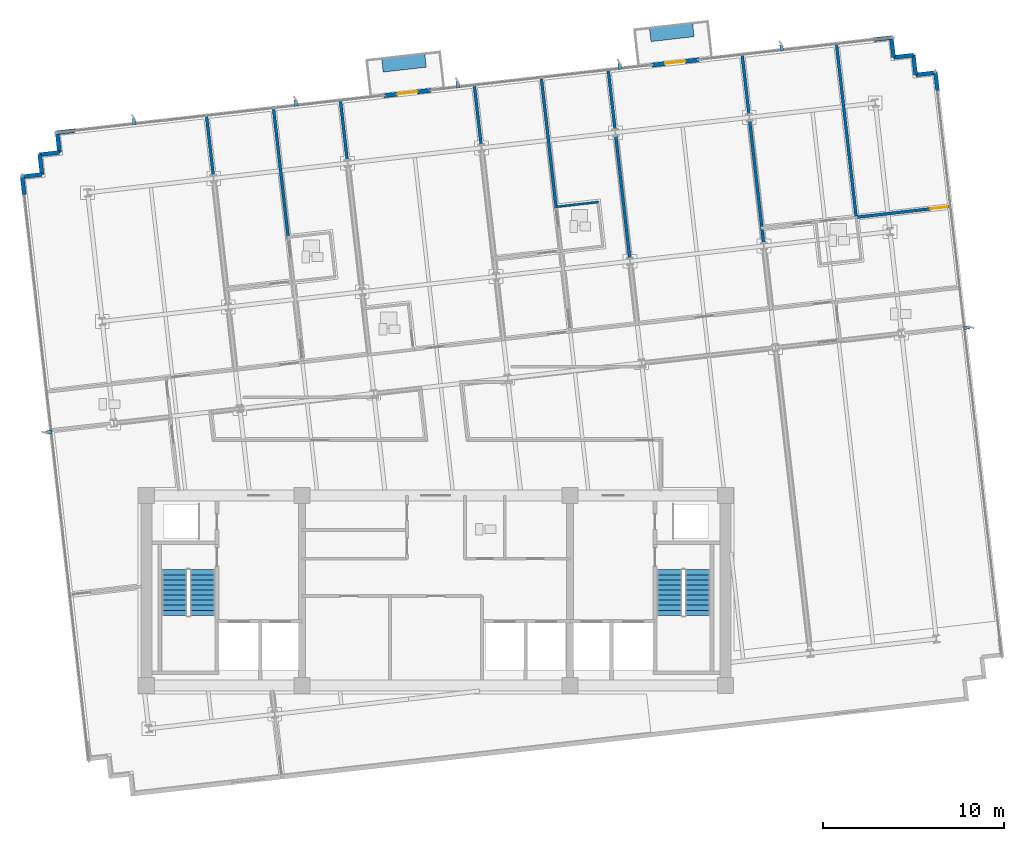
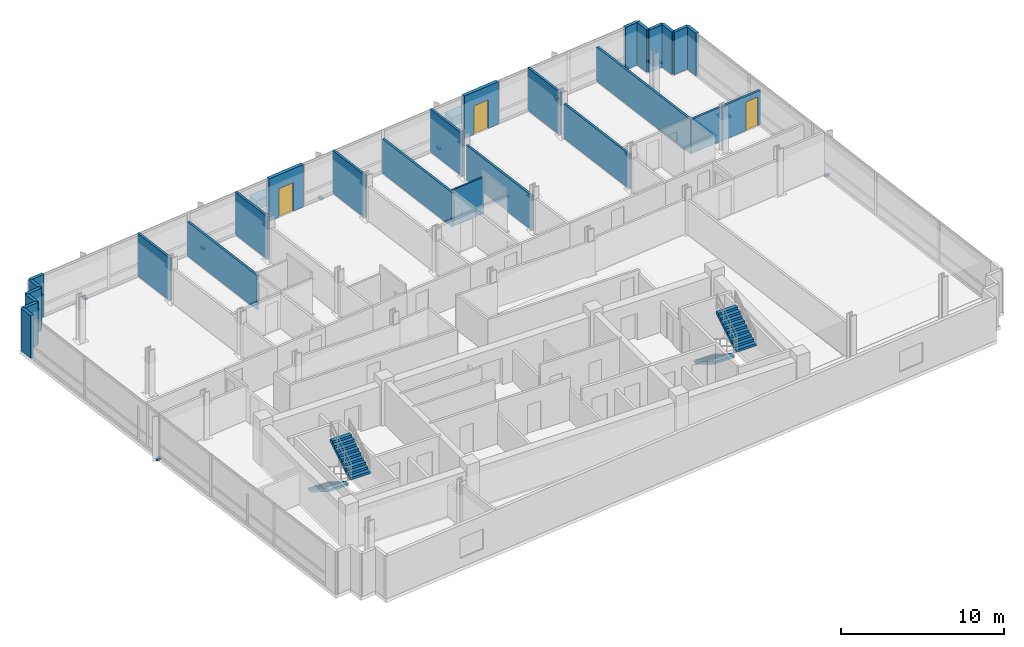
# One storey, part 11 of 16: 26 walls, 9 discrete accessories, 4 stair flights, 3 doors, 3 openings, 2 elements without a shape of their own.
"""IFC4 building model written with IfcOpenShell, lengths in metres."""

import ifcopenshell
import ifcopenshell.guid

model = None  # the IFC model being written
_history = None  # IfcOwnerHistory: only IFC2X3 demands one
_inside = {}  # id of a spatial element -> (the spatial element, [elements in it])
_under = {}  # id of a project, library or spatial element -> (it, [spatial elements below it])
_declared = {}  # id of a project -> (the project, [libraries it declares])
_typed = {}  # id of a type object -> (the type object, [elements of that type])
_made_of = {}  # id of a material, layer set ... -> (it, [elements and type objects made of it])


def new_model(schema):
    """Start an empty IFC model of exactly this schema.

    Asked for "IFC4X3", IfcOpenShell would pick the latest addendum, in which some entities
    have other attributes; the version numbers below select the first issue.
    IFC2X3 requires an IfcOwnerHistory on every rooted entity: one is made here for all.
    """
    global model, _history
    if schema == "IFC4X3":
        model = ifcopenshell.file(schema_version=(4, 3, 0, 0))
    else:
        model = ifcopenshell.file(schema=schema)
    _inside.clear()
    _under.clear()
    _declared.clear()
    _typed.clear()
    _made_of.clear()
    _history = None
    if model.schema == "IFC2X3":
        org = make("IfcOrganization", Name="unknown")
        user = make(
            "IfcPersonAndOrganization",
            ThePerson=make("IfcPerson", FamilyName="unknown"),
            TheOrganization=org,
        )
        app = make(
            "IfcApplication",
            ApplicationDeveloper=org,
            Version="unknown",
            ApplicationFullName="unknown",
            ApplicationIdentifier="unknown",
        )
        _history = make(
            "IfcOwnerHistory",
            OwningUser=user,
            OwningApplication=app,
            ChangeAction="ADDED",
            CreationDate=0,
        )
    return model


def make(cls, **values):
    """One entity of the class cls with the attributes given. An attribute that is None is left unset."""
    return model.create_entity(
        cls, **{name: value for name, value in values.items() if value is not None}
    )


def rooted(cls, **values):
    """An entity with a GlobalId (a new one), such as an element, a storey or a relation."""
    return make(cls, GlobalId=ifcopenshell.guid.new(), OwnerHistory=_history, **values)


def si_unit(unit_type, name, prefix=None):
    """IfcSIUnit, for example si_unit("LENGTHUNIT", "METRE", prefix="MILLI")."""
    return make("IfcSIUnit", UnitType=unit_type, Prefix=prefix, Name=name)


def assignment(units):
    """IfcUnitAssignment: the units of a project."""
    return None if units is None else make("IfcUnitAssignment", Units=units)


def point(xyz):
    """IfcCartesianPoint."""
    return None if xyz is None else make("IfcCartesianPoint", Coordinates=xyz)


def direction(xyz):
    """IfcDirection."""
    return None if xyz is None else make("IfcDirection", DirectionRatios=xyz)


def frame(location, z_axis=None, x_axis=None):
    """IfcAxis2Placement3D, a coordinate frame: its origin and axes. An axis left out is left unset."""
    return make(
        "IfcAxis2Placement3D",
        Location=point(location),
        Axis=direction(z_axis),
        RefDirection=direction(x_axis),
    )


def frame_2d(location, x_axis=None):
    """IfcAxis2Placement2D, a coordinate frame in the plane: its origin and x axis."""
    return make(
        "IfcAxis2Placement2D", Location=point(location), RefDirection=direction(x_axis)
    )


def origin():
    """The frame at (0, 0, 0) with its axes left unset."""
    return frame((0.0, 0.0, 0.0))


def origin_2d():
    """The frame at (0, 0) in the plane with its x axis left unset."""
    return frame_2d((0.0, 0.0))


def place(relative_to, where):
    """IfcLocalPlacement: puts the frame where relative to a parent placement (None: the world)."""
    return make(
        "IfcLocalPlacement", PlacementRelTo=relative_to, RelativePlacement=where
    )


def context(
    kind, dimensions, precision=None, world=None, true_north=None, identifier=None
):
    """IfcGeometricRepresentationContext, for example the 3D "Model" context."""
    return make(
        "IfcGeometricRepresentationContext",
        ContextIdentifier=identifier,
        ContextType=kind,
        CoordinateSpaceDimension=dimensions,
        Precision=precision,
        WorldCoordinateSystem=world,
        TrueNorth=true_north,
    )


def subcontext(parent, identifier, kind, view, scale=None):
    """IfcGeometricRepresentationSubContext, for example "Body" below "Model"."""
    return make(
        "IfcGeometricRepresentationSubContext",
        ContextIdentifier=identifier,
        ContextType=kind,
        ParentContext=parent,
        TargetScale=scale,
        TargetView=view,
    )


def project(units=None, contexts=None):
    """IfcProject with its units and contexts."""
    return rooted(
        "IfcProject",
        Name="project",
        RepresentationContexts=contexts,
        UnitsInContext=assignment(units),
    )


def spatial(cls, under=None, at=None, **own):
    """A site, building, storey or space (cls), placed at a placement, below another one or the project."""
    s = rooted(cls, ObjectPlacement=at, **own)
    if under is not None:
        _under.setdefault(under.id(), (under, []))[1].append(s)
    return s


def polyline(points):
    """IfcPolyline through the points."""
    return make("IfcPolyline", Points=[point(p) for p in points])


def profile(cls, at=None, kind="AREA", **sizes):
    """A parametric profile (cls). Its sizes go by their IFC names, for example OverallWidth=200.0."""
    return make(cls, ProfileType=kind, Position=at, **sizes)


def rectangle(**sizes):
    """IfcRectangleProfileDef."""
    return profile("IfcRectangleProfileDef", **sizes)


def outline(outer, holes=None, kind="AREA"):
    """IfcArbitraryClosedProfileDef: a profile drawn as a closed curve; with holes, ...WithVoids."""
    if holes is None:
        return make("IfcArbitraryClosedProfileDef", ProfileType=kind, OuterCurve=outer)
    return make(
        "IfcArbitraryProfileDefWithVoids",
        ProfileType=kind,
        OuterCurve=outer,
        InnerCurves=holes,
    )


def extrude(swept, where, along, depth):
    """IfcExtrudedAreaSolid: the profile swept, set in the frame where, extruded along a direction by depth."""
    return make(
        "IfcExtrudedAreaSolid",
        SweptArea=swept,
        Position=where,
        ExtrudedDirection=direction(along),
        Depth=depth,
    )


def shape(context_of_items, identifier, shape_type, items):
    """IfcShapeRepresentation: the items that make up one representation, for example the "Body"."""
    return make(
        "IfcShapeRepresentation",
        ContextOfItems=context_of_items,
        RepresentationIdentifier=identifier,
        RepresentationType=shape_type,
        Items=items,
    )


def material(Name=None, Category=None):
    """IfcMaterial."""
    return make("IfcMaterial", Name=Name, Category=Category)


def layer(
    of_material, thickness, ventilated=None, Name=None, Category=None, Priority=None
):
    """IfcMaterialLayer: one layer of a wall or slab, of a material (None: an air gap)."""
    return make(
        "IfcMaterialLayer",
        Material=of_material,
        LayerThickness=thickness,
        IsVentilated=ventilated,
        Name=Name,
        Category=Category,
        Priority=Priority,
    )


def layer_set(layers, Name=None):
    """IfcMaterialLayerSet."""
    return make("IfcMaterialLayerSet", MaterialLayers=layers, LayerSetName=Name)


def made_of(thing, what):
    """Note that an element or type object is made of a material, layer set ...; save() writes the relation."""
    if what is not None:
        _made_of.setdefault(what.id(), (what, []))[1].append(thing)
    return thing


def type_object(cls, material=None, **own):
    """A type object (cls), such as IfcWallType, which elements share."""
    return made_of(rooted(cls, **own), material)


def element(
    cls,
    number,
    at=None,
    inside=None,
    cuts=None,
    type_object=None,
    material=None,
    context=None,
    identifier="Body",
    shape_type=None,
    held_by="IfcProductDefinitionShape",
    body=None,
    shapes=None,
    **own,
):
    """One element of the class cls, such as IfcWall. Its Tag is "e" and its number.

    at: its placement. inside: the storey or other place that contains it. cuts: it is an
    opening in that element (IfcRelVoidsElement). A single representation is given by context,
    identifier, shape_type and body (its items); several are given by shapes. held_by: the class
    of the entity that holds the representations. save() writes the other relations.
    """
    e = rooted(cls, Tag="e%d" % number, ObjectPlacement=at, **own)
    if body is not None:
        shapes = [shape(context, identifier, shape_type, body)]
    if shapes is not None:
        e.Representation = make(held_by, Representations=shapes)
    if inside is not None:
        _inside.setdefault(inside.id(), (inside, []))[1].append(e)
    if cuts is not None:
        rooted(
            "IfcRelVoidsElement", RelatingBuildingElement=cuts, RelatedOpeningElement=e
        )
    if type_object is not None:
        _typed.setdefault(type_object.id(), (type_object, []))[1].append(e)
    return made_of(e, material)


def fill(opening, filler):
    """IfcRelFillsElement: the door or window that sits in an opening."""
    return rooted(
        "IfcRelFillsElement",
        RelatingOpeningElement=opening,
        RelatedBuildingElement=filler,
    )


def aggregate(whole, parts):
    """IfcRelAggregates: a whole, such as a stair, and the parts it consists of."""
    return rooted("IfcRelAggregates", RelatingObject=whole, RelatedObjects=parts)


def save(model, path):
    """Write the relations noted so far, then the file.

    IfcRelAggregates (storeys below a building ...), IfcRelContainedInSpatialStructure (elements
    in a storey), IfcRelDefinesByType, IfcRelAssociatesMaterial and IfcRelDeclares: one each for
    every whole, place, type object, material and project.
    """
    for whole, parts in _under.values():
        aggregate(whole, parts)
    for where, things in _inside.values():
        rooted(
            "IfcRelContainedInSpatialStructure",
            RelatedElements=things,
            RelatingStructure=where,
        )
    for kind, things in _typed.values():
        rooted("IfcRelDefinesByType", RelatedObjects=things, RelatingType=kind)
    for what, things in _made_of.values():
        rooted("IfcRelAssociatesMaterial", RelatedObjects=things, RelatingMaterial=what)
    for by, libraries in _declared.values():
        rooted("IfcRelDeclares", RelatingContext=by, RelatedDefinitions=libraries)
    model.write(path)


model = new_model("IFC4")

# Units and contexts
model_context = context("Model", 3, precision=1e-05, world=origin(), true_north=direction((0.0, 1.0)))
body_context = subcontext(model_context, "Body", "Model", "MODEL_VIEW")
ifc_project = project(units=[si_unit("LENGTHUNIT", "METRE"), si_unit("AREAUNIT", "SQUARE_METRE"), si_unit("VOLUMEUNIT", "CUBIC_METRE"), si_unit("PLANEANGLEUNIT", "RADIAN"), si_unit("MASSUNIT", "GRAM", prefix="KILO")], contexts=[model_context])

# Site, building, storey
site_placement = place(None, origin())
site = spatial("IfcSite", under=ifc_project, at=site_placement, CompositionType="ELEMENT")
building_placement = place(site_placement, origin())
building = spatial("IfcBuilding", under=site, at=building_placement, Name="Solmavex Isthmus Hotel", CompositionType="ELEMENT")
storey_placement = place(building_placement, frame((0.0, 0.0, 208.949951171875)))
storey = spatial("IfcBuildingStorey", under=building, at=storey_placement, Name="L56", CompositionType="ELEMENT", Elevation=208.949951171875)

# Wall, opening, door
ifc_material_1 = material(Name="Precast Concrete C40/50", Category="concrete")
ifc_layer_1 = layer(ifc_material_1, 0.25)
ifc_layer_set_1 = layer_set([ifc_layer_1], Name="Precast Concrete C40/50")
wall_type_1 = type_object("IfcWallType", Name="EW-TWR-250", PredefinedType="STANDARD", material=ifc_layer_set_1)
wall_1_placement = place(storey_placement, frame((-2.871337890625, 19.59326171875, 0.0), z_axis=(0.0, 0.0, 1.0), x_axis=(0.993577691497, 0.113151981689, 0.0)))
wall_1 = element("IfcWall", 1, at=wall_1_placement, inside=storey, type_object=wall_type_1, Name="Exterior Balcony Door Wall L56-2", PredefinedType="STANDARD", context=body_context, shape_type="SweptSolid", body=[
    extrude(rectangle(XDim=2.599853515625, YDim=0.239990234375, at=frame_2d((1.2998046875, 0.0))), origin(), (0.0, 0.0, 1.0), 3.18994140625),
])
opening_1_placement = place(wall_1_placement, frame((0.75, 0.0, 0.0)))
opening_1 = element("IfcOpeningElement", 2, at=opening_1_placement, cuts=wall_1, Name="Opening ED-02", PredefinedType="OPENING", context=body_context, shape_type="SweptSolid", body=[
    extrude(rectangle(XDim=1.10009765625, YDim=2.14990234375, at=frame_2d((0.550048828125, 1.074951171875))), frame((0.0, 0.1298828125, 0.0), z_axis=(0.0, -1.0, 0.0), x_axis=(1.0, 0.0, 0.0)), (0.0, 0.0, 1.0), 0.260009765625),
])
ifc_material_2 = material(Name="Aluminium alloy 6063-T6", Category="aluminium")
door_type_1 = type_object("IfcDoorType", Name="EDR-BALC-1100", OperationType="NOTDEFINED", PredefinedType="DOOR", material=ifc_material_2)
door_1_placement = place(opening_1_placement, origin())
door_1 = element("IfcDoor", 3, at=door_1_placement, inside=storey, type_object=door_type_1, Name="Balcony & Terrace Glazed Door L56-2", OperationType="SINGLE_SWING_RIGHT", OverallHeight=2.14990234375, OverallWidth=1.10009765625, PredefinedType="DOOR", context=body_context, shape_type="SweptSolid", body=[
    extrude(rectangle(XDim=1.10009765625, YDim=2.14990234375, at=frame_2d((0.550048828125, 1.074951171875))), frame((0.0, 0.02490234375, 0.0), z_axis=(0.0, -1.0, 0.0), x_axis=(1.0, 0.0, 0.0)), (0.0, 0.0, 1.0), 0.050048828125),
])
fill(opening_1, door_1)

wall_2_placement = place(storey_placement, frame((11.9248046875, 21.279052734375, 0.0), z_axis=(0.0, 0.0, 1.0), x_axis=(0.993567130319, 0.113244680008, 0.0)))
wall_2 = element("IfcWall", 4, at=wall_2_placement, inside=storey, type_object=wall_type_1, Name="Exterior Balcony Door Wall L56-3", PredefinedType="STANDARD", context=body_context, shape_type="SweptSolid", body=[
    extrude(rectangle(XDim=2.60009765625, YDim=0.239990234375, at=frame_2d((1.300048828125, 0.0))), origin(), (0.0, 0.0, 1.0), 3.18994140625),
])
opening_2_placement = place(wall_2_placement, frame((0.75, 0.0, 0.0)))
opening_2 = element("IfcOpeningElement", 5, at=opening_2_placement, cuts=wall_2, Name="Opening ED-02", PredefinedType="OPENING", context=body_context, shape_type="SweptSolid", body=[
    extrude(rectangle(XDim=1.10009765625, YDim=2.14990234375, at=frame_2d((0.550048828125, 1.074951171875))), frame((0.0, 0.1298828125, 0.0), z_axis=(0.0, -1.0, 0.0), x_axis=(1.0, 0.0, 0.0)), (0.0, 0.0, 1.0), 0.260009765625),
])
door_2_placement = place(opening_2_placement, origin())
door_2 = element("IfcDoor", 6, at=door_2_placement, inside=storey, type_object=door_type_1, Name="Balcony & Terrace Glazed Door L56-3", OperationType="SINGLE_SWING_LEFT", OverallHeight=2.14990234375, OverallWidth=1.10009765625, PredefinedType="DOOR", context=body_context, shape_type="SweptSolid", body=[
    extrude(rectangle(XDim=1.10009765625, YDim=2.14990234375, at=frame_2d((0.550048828125, 1.074951171875))), frame((0.0, 0.02490234375, 0.0), z_axis=(0.0, -1.0, 0.0), x_axis=(1.0, 0.0, 0.0)), (0.0, 0.0, 1.0), 0.050048828125),
])
fill(opening_2, door_2)

# Walls
wall_3_placement = place(storey_placement, frame((-22.74755859375, 14.128173828125, 0.0), z_axis=(0.0, 0.0, 1.0), x_axis=(-0.113191877531, 0.993573147212, 0.0)))
element("IfcWall", 7, at=wall_3_placement, inside=storey, type_object=wall_type_1, Name="Serrated Corner Facade Panel L56-07", PredefinedType="STANDARD", context=body_context, shape_type="SweptSolid", body=[
    extrude(rectangle(XDim=0.989990234375, YDim=0.219970703125, at=frame_2d((0.4951171875, 0.0))), origin(), (0.0, 0.0, 1.0), 3.18994140625),
])
wall_4_placement = place(storey_placement, frame((-22.859619140625, 15.11181640625, 0.0), z_axis=(0.0, 0.0, 1.0), x_axis=(0.99357409499, 0.113183557839, 0.0)))
element("IfcWall", 8, at=wall_4_placement, inside=storey, type_object=wall_type_1, Name="Serrated Corner Facade Panel L56-08", PredefinedType="STANDARD", context=body_context, shape_type="SweptSolid", body=[
    extrude(rectangle(XDim=1.10009765625, YDim=0.219970703125, at=frame_2d((0.550048828125, 0.0))), origin(), (0.0, 0.0, 1.0), 3.18994140625),
])
wall_5_placement = place(storey_placement, frame((-21.7666015625, 15.236328125, 0.0), z_axis=(0.0, 0.0, 1.0), x_axis=(-0.11320852056, 0.99357125103, 0.0)))
element("IfcWall", 9, at=wall_5_placement, inside=storey, type_object=wall_type_1, Name="Serrated Corner Facade Panel L56-09", PredefinedType="STANDARD", context=body_context, shape_type="SweptSolid", body=[
    extrude(rectangle(XDim=1.099853515625, YDim=0.219970703125, at=frame_2d((0.5498046875, 0.0))), origin(), (0.0, 0.0, 1.0), 3.18994140625),
])
for number, where, z_axis, x_axis, name in (
    (10, (-21.89111328125, 16.3291015625, 0.0), (0.0, 0.0, 1.0), (0.99357409499, 0.113183557839, 0.0), "Serrated Corner Facade Panel L56-10"),
    (11, (-20.798095703125, 16.45361328125, 0.0), (0.0, 0.0, 1.0), (-0.113402635104, 0.993549114212, 0.0), "Serrated Corner Facade Panel L56-11"),
):
    element("IfcWall", number, at=place(storey_placement, frame(where, z_axis=z_axis, x_axis=x_axis)), inside=storey, type_object=wall_type_1, Name=name, PredefinedType="STANDARD", context=body_context, shape_type="SweptSolid", body=[
        extrude(rectangle(XDim=1.10009765625, YDim=0.219970703125, at=frame_2d((0.550048828125, 0.0))), origin(), (0.0, 0.0, 1.0), 3.18994140625),
    ])
for number, where, z_axis, x_axis, name in (
    (12, (-20.9228515625, 17.546630859375, 0.0), (0.0, 0.0, 1.0), (0.993573147212, 0.113191877531, 0.0), "Serrated Corner Facade Panel L56-12"),
    (13, (24.175537109375, 22.684814453125, 0.0), (0.0, 0.0, 1.0), (0.993573147212, 0.113191877531, 0.0), "Serrated Corner Facade Panel L56-14"),
):
    element("IfcWall", number, at=place(storey_placement, frame(where, z_axis=z_axis, x_axis=x_axis)), inside=storey, type_object=wall_type_1, Name=name, PredefinedType="STANDARD", context=body_context, shape_type="SweptSolid", body=[
        extrude(rectangle(XDim=0.989990234375, YDim=0.219970703125, at=frame_2d((0.4951171875, 0.0))), origin(), (0.0, 0.0, 1.0), 3.18994140625),
    ])
for number, where, z_axis, x_axis, name in (
    (14, (25.1591796875, 22.796875, 0.0), (0.0, 0.0, 1.0), (0.11320852056, -0.99357125103, 0.0), "Serrated Corner Facade Panel L56-15"),
    (15, (25.28369140625, 21.7041015625, 0.0), (0.0, 0.0, 1.0), (0.99357125103, 0.11320852056, 0.0), "Serrated Corner Facade Panel L56-16"),
):
    element("IfcWall", number, at=place(storey_placement, frame(where, z_axis=z_axis, x_axis=x_axis)), inside=storey, type_object=wall_type_1, Name=name, PredefinedType="STANDARD", context=body_context, shape_type="SweptSolid", body=[
        extrude(rectangle(XDim=1.099853515625, YDim=0.219970703125, at=frame_2d((0.5498046875, 0.0))), origin(), (0.0, 0.0, 1.0), 3.18994140625),
    ])
wall_6_placement = place(storey_placement, frame((26.37646484375, 21.82861328125, 0.0), z_axis=(0.0, 0.0, 1.0), x_axis=(0.113402635104, -0.993549114212, 0.0)))
element("IfcWall", 16, at=wall_6_placement, inside=storey, type_object=wall_type_1, Name="Serrated Corner Facade Panel L56-17", PredefinedType="STANDARD", context=body_context, shape_type="SweptSolid", body=[
    extrude(rectangle(XDim=1.10009765625, YDim=0.219970703125, at=frame_2d((0.550048828125, 0.0))), origin(), (0.0, 0.0, 1.0), 3.18994140625),
])
wall_7_placement = place(storey_placement, frame((26.501220703125, 20.735595703125, 0.0), z_axis=(0.0, 0.0, 1.0), x_axis=(0.99357125103, 0.11320852056, 0.0)))
element("IfcWall", 17, at=wall_7_placement, inside=storey, type_object=wall_type_1, Name="Serrated Corner Facade Panel L56-18", PredefinedType="STANDARD", context=body_context, shape_type="SweptSolid", body=[
    extrude(rectangle(XDim=1.099853515625, YDim=0.219970703125, at=frame_2d((0.5498046875, 0.0))), origin(), (0.0, 0.0, 1.0), 3.18994140625),
])
wall_8_placement = place(storey_placement, frame((27.593994140625, 20.860107421875, 0.0), z_axis=(0.0, 0.0, 1.0), x_axis=(0.113191877531, -0.993573147212, 0.0)))
element("IfcWall", 18, at=wall_8_placement, inside=storey, type_object=wall_type_1, Name="Serrated Corner Facade Panel L56-19", PredefinedType="STANDARD", context=body_context, shape_type="SweptSolid", body=[
    extrude(rectangle(XDim=0.989990234375, YDim=0.219970703125, at=frame_2d((0.4951171875, 0.0))), origin(), (0.0, 0.0, 1.0), 3.18994140625),
])
ifc_material_3 = material(Name="Gypsum plasterboard lining", Category="gypsum")
ifc_layer_2 = layer(ifc_material_3, 0.159912109375)
ifc_layer_set_2 = layer_set([ifc_layer_2], Name="Gypsum plasterboard lining")
wall_type_2 = type_object("IfcWallType", Name="IW-COMP-160", PredefinedType="PARTITIONING", material=ifc_layer_set_2)
wall_9_placement = place(storey_placement, frame((-12.681396484375, 18.515869140625, 0.0), z_axis=(0.0, 0.0, 1.0), x_axis=(0.113171804991, -0.993575433752, 0.0)))
element("IfcWall", 19, at=wall_9_placement, inside=storey, type_object=wall_type_2, Name="Interior Partition Wall W-L56-P028", PredefinedType="PARTITIONING", context=body_context, shape_type="SweptSolid", body=[
    extrude(rectangle(XDim=3.34375, YDim=0.159912109375, at=frame_2d((1.671875, 0.0))), origin(), (0.0, 0.0, 1.0), 3.18994140625),
])
wall_10_placement = place(storey_placement, frame((-8.96875, 18.81787109375, 0.0), z_axis=(0.0, 0.0, 1.0), x_axis=(0.113202494332, -0.993571937646, 0.0)))
element("IfcWall", 20, at=wall_10_placement, inside=storey, type_object=wall_type_2, Name="Interior Partition Wall W-L56-P032", PredefinedType="PARTITIONING", context=body_context, shape_type="SweptSolid", body=[
    extrude(rectangle(XDim=7.183837890625, YDim=0.159912109375, at=frame_2d((3.591796875, 0.0))), origin(), (0.0, 0.0, 1.0), 2.5576171875),
])
wall_11_placement = place(storey_placement, frame((-5.283447265625, 19.358642578125, 0.0), z_axis=(0.0, 0.0, 1.0), x_axis=(0.113252098743, -0.993566284719, 0.0)))
element("IfcWall", 21, at=wall_11_placement, inside=storey, type_object=wall_type_2, Name="Interior Partition Wall W-L56-P037", PredefinedType="PARTITIONING", context=body_context, shape_type="SweptSolid", body=[
    extrude(rectangle(XDim=3.343505859375, YDim=0.159912109375, at=frame_2d((1.671875, 0.0))), origin(), (0.0, 0.0, 1.0), 3.18994140625),
])
wall_12_placement = place(storey_placement, frame((2.11474609375, 20.20166015625, 0.0), z_axis=(0.0, 0.0, 1.0), x_axis=(0.113243883011, -0.993567221158, 0.0)))
element("IfcWall", 22, at=wall_12_placement, inside=storey, type_object=wall_type_2, Name="Interior Partition Wall W-L56-P044", PredefinedType="PARTITIONING", context=body_context, shape_type="SweptSolid", body=[
    extrude(rectangle(XDim=3.34375, YDim=0.159912109375, at=frame_2d((1.671875, 0.0))), origin(), (0.0, 0.0, 1.0), 3.18994140625),
])
wall_13_placement = place(storey_placement, frame((5.827392578125, 20.50390625, 0.0), z_axis=(0.0, 0.0, 1.0), x_axis=(0.113198672056, -0.993572373129, 0.0)))
element("IfcWall", 23, at=wall_13_placement, inside=storey, type_object=wall_type_2, Name="Interior Partition Wall W-L56-P047", PredefinedType="PARTITIONING", context=body_context, shape_type="SweptSolid", body=[
    extrude(rectangle(XDim=7.18408203125, YDim=0.159912109375, at=frame_2d((3.592041015625, 0.0))), origin(), (0.0, 0.0, 1.0), 2.5576171875),
])
wall_14_placement = place(storey_placement, frame((9.512939453125, 21.04443359375, 0.0), z_axis=(0.0, 0.0, 1.0), x_axis=(0.113180015629, -0.993574498496, 0.0)))
element("IfcWall", 24, at=wall_14_placement, inside=storey, type_object=wall_type_2, Name="Interior Partition Wall W-L56-P052", PredefinedType="PARTITIONING", context=body_context, shape_type="SweptSolid", body=[
    extrude(rectangle(XDim=3.343505859375, YDim=0.159912109375, at=frame_2d((1.671875, 0.0))), origin(), (0.0, 0.0, 1.0), 3.18994140625),
])
wall_15_placement = place(storey_placement, frame((9.931396484375, 17.371826171875, 0.0), z_axis=(0.0, 0.0, 1.0), x_axis=(0.113217453743, -0.993570233133, 0.0)))
element("IfcWall", 25, at=wall_15_placement, inside=storey, type_object=wall_type_2, Name="Interior Partition Wall W-L56-P053", PredefinedType="PARTITIONING", context=body_context, shape_type="SweptSolid", body=[
    extrude(rectangle(XDim=6.799072265625, YDim=0.159912109375, at=frame_2d((3.3994140625, 0.0))), origin(), (0.0, 0.0, 1.0), 2.572265625),
])
wall_16_placement = place(storey_placement, frame((17.32958984375, 18.21484375, 0.0), z_axis=(0.0, 0.0, 1.0), x_axis=(0.113177968069, -0.993574731736, 0.0)))
element("IfcWall", 26, at=wall_16_placement, inside=storey, type_object=wall_type_2, Name="Interior Partition Wall W-L56-P055", PredefinedType="PARTITIONING", context=body_context, shape_type="SweptSolid", body=[
    extrude(rectangle(XDim=6.79931640625, YDim=0.159912109375, at=frame_2d((3.399658203125, 0.0))), origin(), (0.0, 0.0, 1.0), 2.572265625),
])
wall_17_placement = place(storey_placement, frame((16.9111328125, 21.887451171875, 0.0), z_axis=(0.0, 0.0, 1.0), x_axis=(0.113171804991, -0.993575433752, 0.0)))
element("IfcWall", 27, at=wall_17_placement, inside=storey, type_object=wall_type_2, Name="Interior Partition Wall W-L56-P057", PredefinedType="PARTITIONING", context=body_context, shape_type="SweptSolid", body=[
    extrude(rectangle(XDim=3.34375, YDim=0.159912109375, at=frame_2d((1.671875, 0.0))), origin(), (0.0, 0.0, 1.0), 3.18994140625),
])

# Wall, opening, door
wall_18_placement = place(storey_placement, frame((23.176513671875, 12.86669921875, 0.0), z_axis=(0.0, 0.0, 1.0), x_axis=(0.993570013337, 0.113219382606, 0.0)))
wall_18 = element("IfcWall", 28, at=wall_18_placement, inside=storey, type_object=wall_type_2, Name="Interior Partition Wall W-L56-P059", PredefinedType="PARTITIONING", context=body_context, shape_type="SweptSolid", body=[
    extrude(rectangle(XDim=5.323974609375, YDim=0.159912109375, at=frame_2d((2.662109375, 0.0))), origin(), (0.0, 0.0, 1.0), 2.5576171875),
])
opening_3_placement = place(wall_18_placement, frame((4.1640625, 0.0, 0.0)))
opening_3 = element("IfcOpeningElement", 29, at=opening_3_placement, cuts=wall_18, Name="Opening ID-C095", PredefinedType="OPENING", context=body_context, shape_type="SweptSolid", body=[
    extrude(rectangle(XDim=0.949951171875, YDim=2.14990234375, at=frame_2d((0.47509765625, 1.074951171875))), frame((0.0, 0.08984375, 0.0), z_axis=(0.0, -1.0, 0.0), x_axis=(1.0, 0.0, 0.0)), (0.0, 0.0, 1.0), 0.179931640625),
])
ifc_material_4 = material(Name="Hardwood timber", Category="wood")
door_type_2 = type_object("IfcDoorType", Name="IDR-FD60-0950", OperationType="NOTDEFINED", PredefinedType="DOOR", material=ifc_material_4)
door_3_placement = place(opening_3_placement, origin())
door_3 = element("IfcDoor", 30, at=door_3_placement, inside=storey, type_object=door_type_2, Name="Diplomatic Hospitality Suite Sitting Lounge Door L56-15", OperationType="SINGLE_SWING_LEFT", OverallHeight=2.14990234375, OverallWidth=0.949951171875, PredefinedType="DOOR", context=body_context, shape_type="SweptSolid", body=[
    extrude(rectangle(XDim=0.949951171875, YDim=2.14990234375, at=frame_2d((0.47509765625, 1.074951171875))), frame((0.0, 0.02490234375, 0.0), z_axis=(0.0, -1.0, 0.0), x_axis=(1.0, 0.0, 0.0)), (0.0, 0.0, 1.0), 0.050048828125),
])
fill(opening_3, door_3)

# Walls
wall_19_placement = place(storey_placement, frame((22.121337890625, 22.48095703125, 0.0), z_axis=(0.0, 0.0, 1.0), x_axis=(0.113198474286, -0.993572395661, 0.0)))
element("IfcWall", 31, at=wall_19_placement, inside=storey, type_object=wall_type_2, Name="Interior Partition Wall W-L56-P064", PredefinedType="PARTITIONING", context=body_context, shape_type="SweptSolid", body=[
    extrude(rectangle(XDim=9.7119140625, YDim=0.159912109375, at=frame_2d((4.85595703125, 0.0))), origin(), (0.0, 0.0, 1.0), 2.5576171875),
])
ifc_layer_3 = layer(ifc_material_3, 0.1201171875)
ifc_layer_set_3 = layer_set([ifc_layer_3], Name="Gypsum plasterboard lining")
wall_type_3 = type_object("IfcWallType", Name="IW-PART-120", PredefinedType="PARTITIONING", material=ifc_layer_set_3)
wall_20_placement = place(storey_placement, frame((8.979248046875, 13.715087890625, 0.0), z_axis=(0.0, 0.0, 1.0), x_axis=(-0.993562439402, -0.11328582881, 0.0)))
element("IfcWall", 32, at=wall_20_placement, inside=storey, type_object=wall_type_3, Name="Interior Partition Wall W-L56-P051", PredefinedType="PARTITIONING", context=body_context, shape_type="SweptSolid", body=[
    extrude(rectangle(XDim=2.40283203125, YDim=0.1201171875, at=frame_2d((1.201416015625, 0.0))), origin(), (0.0, 0.0, 1.0), 2.71826171875),
])

# Stair, stair flights
ifc_material_5 = material(Name="Concrete C40/50", Category="concrete")
stair_type_1 = type_object("IfcStairType", Name="STR-ST-1", PredefinedType="HALF_TURN_STAIR", material=ifc_material_5)
stair_1_placement = place(storey_placement, origin())
stair_1 = element("IfcStair", 33, at=stair_1_placement, inside=storey, type_object=stair_type_1, Name="L56 Protected Exit Stair ST-1", PredefinedType="HALF_TURN_STAIR")
stair_flight_type_1 = type_object("IfcStairFlightType", Name="SFL-ST-1", PredefinedType="STRAIGHT", material=ifc_material_5)
stair_flight_1_placement = place(storey_placement, frame((-14.449951171875, -6.60009765625, 0.0), z_axis=(0.0, 0.0, 1.0), x_axis=(0.0, -1.0, 0.0)))
stair_flight_1 = element("IfcStairFlight", 34, at=stair_flight_1_placement, type_object=stair_flight_type_1, Name="ST-1 flight 1", NumberOfRisers=10, NumberOfTreads=9, PredefinedType="STRAIGHT", RiserHeight=0.1725, TreadLength=0.28, context=body_context, shape_type="SweptSolid", body=[
    extrude(outline(polyline([(0.0, 0.0), (0.0, 0.172607421875), (0.280029296875, 0.172607421875), (0.280029296875, 0.344970703125), (0.56005859375, 0.344970703125), (0.56005859375, 0.517578125), (0.840087890625, 0.517578125), (0.840087890625, 0.68994140625), (1.1201171875, 0.68994140625), (1.1201171875, 0.862548828125), (1.39990234375, 0.862548828125), (1.39990234375, 1.034912109375), (1.679931640625, 1.034912109375), (1.679931640625, 1.20751953125), (1.9599609375, 1.20751953125), (1.9599609375, 1.3798828125), (2.239990234375, 1.3798828125), (2.239990234375, 1.552490234375), (2.52001953125, 1.552490234375), (2.52001953125, 1.72509765625), (2.52001953125, 1.37646484375), (0.285888671875, 0.0), (0.0, 0.0)])), frame((0.0, 0.699951171875, 0.0), z_axis=(0.0, -1.0, 0.0), x_axis=(1.0, 0.0, 0.0)), (0.0, 0.0, 1.0), 1.39990234375),
])
stair_flight_2_placement = place(storey_placement, frame((-12.89990234375, -9.1201171875, 1.72509765625), z_axis=(0.0, 0.0, 1.0), x_axis=(0.0, 1.0, 0.0)))
stair_flight_2 = element("IfcStairFlight", 35, at=stair_flight_2_placement, type_object=stair_flight_type_1, Name="ST-1 flight 2", NumberOfRisers=10, NumberOfTreads=9, PredefinedType="STRAIGHT", RiserHeight=0.1725, TreadLength=0.28, context=body_context, shape_type="SweptSolid", body=[
    extrude(outline(polyline([(0.0, 0.0), (0.0, 0.172607421875), (0.280029296875, 0.172607421875), (0.280029296875, 0.344970703125), (0.56005859375, 0.344970703125), (0.56005859375, 0.517578125), (0.840087890625, 0.517578125), (0.840087890625, 0.68994140625), (1.1201171875, 0.68994140625), (1.1201171875, 0.862548828125), (1.39990234375, 0.862548828125), (1.39990234375, 1.034912109375), (1.679931640625, 1.034912109375), (1.679931640625, 1.20751953125), (1.9599609375, 1.20751953125), (1.9599609375, 1.3798828125), (2.239990234375, 1.3798828125), (2.239990234375, 1.552490234375), (2.52001953125, 1.552490234375), (2.52001953125, 1.72509765625), (2.52001953125, 1.37646484375), (0.285888671875, 0.0), (0.0, 0.0)])), frame((0.0, 0.699951171875, 0.0), z_axis=(0.0, -1.0, 0.0), x_axis=(1.0, 0.0, 0.0)), (0.0, 0.0, 1.0), 1.39990234375),
])
aggregate(stair_1, [stair_flight_1, stair_flight_2])

stair_type_2 = type_object("IfcStairType", Name="STR-ST-2", PredefinedType="HALF_TURN_STAIR", material=ifc_material_5)
stair_2_placement = place(storey_placement, origin())
stair_2 = element("IfcStair", 36, at=stair_2_placement, inside=storey, type_object=stair_type_2, Name="L56 Protected Exit Stair ST-2", PredefinedType="HALF_TURN_STAIR")
stair_flight_type_2 = type_object("IfcStairFlightType", Name="SFL-ST-2", PredefinedType="STRAIGHT", material=ifc_material_5)
stair_flight_3_placement = place(storey_placement, frame((12.89990234375, -6.60009765625, 0.0), z_axis=(0.0, 0.0, 1.0), x_axis=(0.0, -1.0, 0.0)))
stair_flight_3 = element("IfcStairFlight", 37, at=stair_flight_3_placement, type_object=stair_flight_type_2, Name="ST-2 flight 1", NumberOfRisers=10, NumberOfTreads=9, PredefinedType="STRAIGHT", RiserHeight=0.1725, TreadLength=0.28, context=body_context, shape_type="SweptSolid", body=[
    extrude(outline(polyline([(0.0, 0.0), (0.0, 0.172607421875), (0.280029296875, 0.172607421875), (0.280029296875, 0.344970703125), (0.56005859375, 0.344970703125), (0.56005859375, 0.517578125), (0.840087890625, 0.517578125), (0.840087890625, 0.68994140625), (1.1201171875, 0.68994140625), (1.1201171875, 0.862548828125), (1.39990234375, 0.862548828125), (1.39990234375, 1.034912109375), (1.679931640625, 1.034912109375), (1.679931640625, 1.20751953125), (1.9599609375, 1.20751953125), (1.9599609375, 1.3798828125), (2.239990234375, 1.3798828125), (2.239990234375, 1.552490234375), (2.52001953125, 1.552490234375), (2.52001953125, 1.72509765625), (2.52001953125, 1.37646484375), (0.285888671875, 0.0), (0.0, 0.0)])), frame((0.0, 0.699951171875, 0.0), z_axis=(0.0, -1.0, 0.0), x_axis=(1.0, 0.0, 0.0)), (0.0, 0.0, 1.0), 1.39990234375),
])
stair_flight_4_placement = place(storey_placement, frame((14.449951171875, -9.1201171875, 1.72509765625), z_axis=(0.0, 0.0, 1.0), x_axis=(0.0, 1.0, 0.0)))
stair_flight_4 = element("IfcStairFlight", 38, at=stair_flight_4_placement, type_object=stair_flight_type_2, Name="ST-2 flight 2", NumberOfRisers=10, NumberOfTreads=9, PredefinedType="STRAIGHT", RiserHeight=0.1725, TreadLength=0.28, context=body_context, shape_type="SweptSolid", body=[
    extrude(outline(polyline([(0.0, 0.0), (0.0, 0.172607421875), (0.280029296875, 0.172607421875), (0.280029296875, 0.344970703125), (0.56005859375, 0.344970703125), (0.56005859375, 0.517578125), (0.840087890625, 0.517578125), (0.840087890625, 0.68994140625), (1.1201171875, 0.68994140625), (1.1201171875, 0.862548828125), (1.39990234375, 0.862548828125), (1.39990234375, 1.034912109375), (1.679931640625, 1.034912109375), (1.679931640625, 1.20751953125), (1.9599609375, 1.20751953125), (1.9599609375, 1.3798828125), (2.239990234375, 1.3798828125), (2.239990234375, 1.552490234375), (2.52001953125, 1.552490234375), (2.52001953125, 1.72509765625), (2.52001953125, 1.37646484375), (0.285888671875, 0.0), (0.0, 0.0)])), frame((0.0, 0.699951171875, 0.0), z_axis=(0.0, -1.0, 0.0), x_axis=(1.0, 0.0, 0.0)), (0.0, 0.0, 1.0), 1.39990234375),
])
aggregate(stair_2, [stair_flight_3, stair_flight_4])

# Discrete accessories
ifc_material_6 = material(Name="Steel ASTM A572 Grade 50", Category="steel")
discrete_accessory_type_1 = type_object("IfcDiscreteAccessoryType", Name="ACC-BRK-FIN", PredefinedType="BRACKET", material=ifc_material_6)
for number, where, z_axis, x_axis, name in (
    (39, (-16.675048828125, 18.161376953125, -0.169921875), (0.0, 0.0, 1.0), (-0.113203213768, 0.993571855677, 0.0), "Facade Fin Support Bracket L56-N1"),
    (40, (-7.73291015625, 19.18017578125, -0.169921875), (0.0, 0.0, 1.0), (-0.113203213768, 0.993571855677, 0.0), "Facade Fin Support Bracket L56-N2"),
    (41, (1.209228515625, 20.198974609375, -0.169921875), (0.0, 0.0, 1.0), (-0.113203213768, 0.993571855677, 0.0), "Facade Fin Support Bracket L56-N3"),
    (42, (10.1513671875, 21.218017578125, -0.169921875), (0.0, 0.0, 1.0), (-0.113203213768, 0.993571855677, 0.0), "Facade Fin Support Bracket L56-N4"),
    (43, (19.093505859375, 22.23681640625, -0.169921875), (0.0, 0.0, 1.0), (-0.113203213768, 0.993571855677, 0.0), "Facade Fin Support Bracket L56-N5"),
    (44, (-21.38232421875, 0.998291015625, -0.169921875), (0.0, 0.0, 1.0), (-0.993571855677, -0.113203213768, 0.0), "Facade Fin Support Bracket L56-W1"),
    (45, (29.32958984375, 6.776123046875, -0.169921875), (0.0, 0.0, 1.0), (0.993571855677, 0.113203213768, 0.0), "Facade Fin Support Bracket L56-E1"),
):
    element("IfcDiscreteAccessory", number, at=place(storey_placement, frame(where, z_axis=z_axis, x_axis=x_axis)), inside=storey, type_object=discrete_accessory_type_1, Name=name, PredefinedType="BRACKET", context=body_context, shape_type="SweptSolid", body=[
        extrude(rectangle(XDim=0.340087890625, YDim=0.179931640625, at=origin_2d()), origin(), (0.0, 0.0, 1.0), 0.159912109375),
    ])
discrete_accessory_type_2 = type_object("IfcDiscreteAccessoryType", Name="ACC-PLN-BALC", PredefinedType="USERDEFINED", material=ifc_material_1)
for number, where, z_axis, x_axis, name in (
    (46, (-1.768798828125, 21.399658203125, 0.0), (0.0, 0.0, 1.0), (0.993571855677, 0.113203213768, 0.0), "Tree-Balcony Architectural Planter L56-B1"),
    (47, (13.027587890625, 23.08544921875, 0.0), (0.0, 0.0, 1.0), (0.993571855677, 0.113203213768, 0.0), "Tree-Balcony Architectural Planter L56-B2"),
):
    element("IfcDiscreteAccessory", number, at=place(storey_placement, frame(where, z_axis=z_axis, x_axis=x_axis)), inside=storey, type_object=discrete_accessory_type_2, Name=name, ObjectType="PLANTER", PredefinedType="USERDEFINED", context=body_context, shape_type="SweptSolid", body=[
        extrude(rectangle(XDim=2.39990234375, YDim=0.75, at=origin_2d()), origin(), (0.0, 0.0, 1.0), 0.699951171875),
    ])

save(model, "model.ifc")
